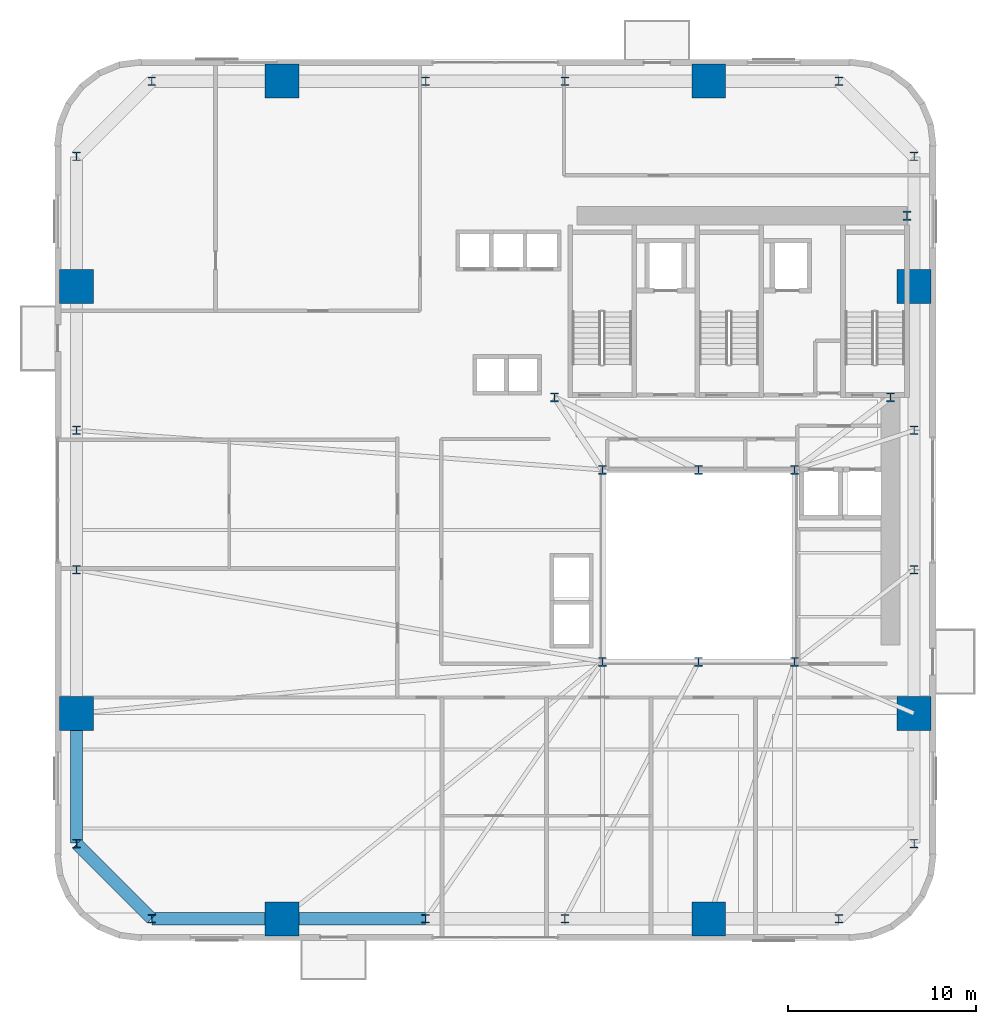
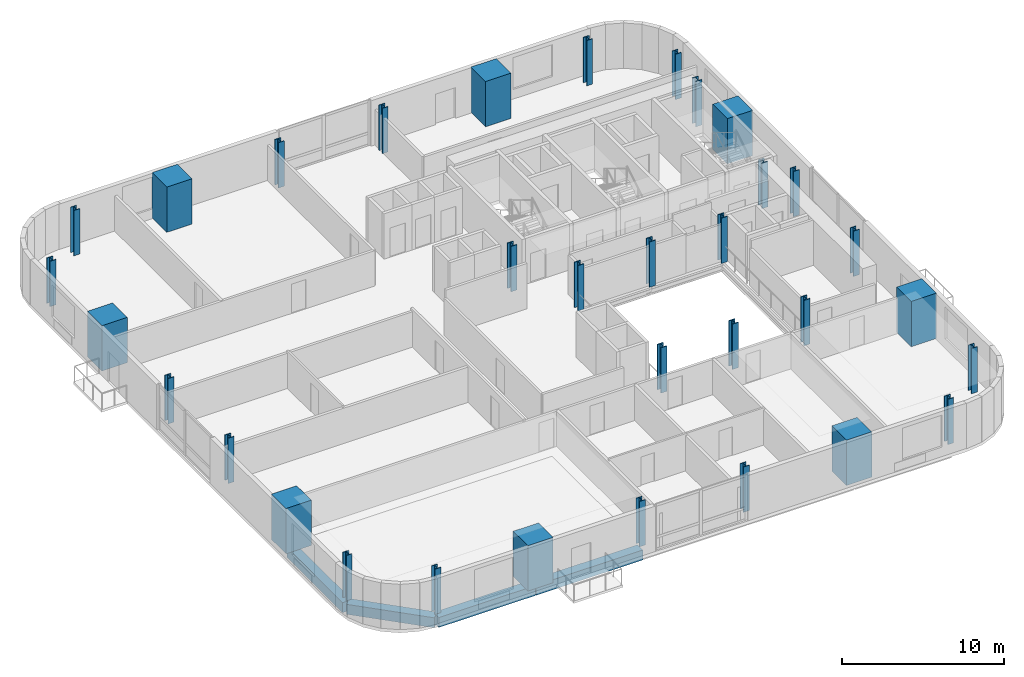
# One storey, part 1 of 13: 33 columns, 4 beams.
"""IFC4 building model written with IfcOpenShell, lengths in metres."""

import ifcopenshell
import ifcopenshell.guid

model = None  # the IFC model being written
_history = None  # IfcOwnerHistory: only IFC2X3 demands one
_inside = {}  # id of a spatial element -> (the spatial element, [elements in it])
_under = {}  # id of a project, library or spatial element -> (it, [spatial elements below it])
_declared = {}  # id of a project -> (the project, [libraries it declares])
_typed = {}  # id of a type object -> (the type object, [elements of that type])
_made_of = {}  # id of a material, layer set ... -> (it, [elements and type objects made of it])


def new_model(schema):
    """Start an empty IFC model of exactly this schema.

    Asked for "IFC4X3", IfcOpenShell would pick the latest addendum, in which some entities
    have other attributes; the version numbers below select the first issue.
    IFC2X3 requires an IfcOwnerHistory on every rooted entity: one is made here for all.
    """
    global model, _history
    if schema == "IFC4X3":
        model = ifcopenshell.file(schema_version=(4, 3, 0, 0))
    else:
        model = ifcopenshell.file(schema=schema)
    _inside.clear()
    _under.clear()
    _declared.clear()
    _typed.clear()
    _made_of.clear()
    _history = None
    if model.schema == "IFC2X3":
        org = make("IfcOrganization", Name="unknown")
        user = make(
            "IfcPersonAndOrganization",
            ThePerson=make("IfcPerson", FamilyName="unknown"),
            TheOrganization=org,
        )
        app = make(
            "IfcApplication",
            ApplicationDeveloper=org,
            Version="unknown",
            ApplicationFullName="unknown",
            ApplicationIdentifier="unknown",
        )
        _history = make(
            "IfcOwnerHistory",
            OwningUser=user,
            OwningApplication=app,
            ChangeAction="ADDED",
            CreationDate=0,
        )
    return model


def make(cls, **values):
    """One entity of the class cls with the attributes given. An attribute that is None is left unset."""
    return model.create_entity(
        cls, **{name: value for name, value in values.items() if value is not None}
    )


def rooted(cls, **values):
    """An entity with a GlobalId (a new one), such as an element, a storey or a relation."""
    return make(cls, GlobalId=ifcopenshell.guid.new(), OwnerHistory=_history, **values)


def si_unit(unit_type, name, prefix=None):
    """IfcSIUnit, for example si_unit("LENGTHUNIT", "METRE", prefix="MILLI")."""
    return make("IfcSIUnit", UnitType=unit_type, Prefix=prefix, Name=name)


def assignment(units):
    """IfcUnitAssignment: the units of a project."""
    return None if units is None else make("IfcUnitAssignment", Units=units)


def point(xyz):
    """IfcCartesianPoint."""
    return None if xyz is None else make("IfcCartesianPoint", Coordinates=xyz)


def direction(xyz):
    """IfcDirection."""
    return None if xyz is None else make("IfcDirection", DirectionRatios=xyz)


def frame(location, z_axis=None, x_axis=None):
    """IfcAxis2Placement3D, a coordinate frame: its origin and axes. An axis left out is left unset."""
    return make(
        "IfcAxis2Placement3D",
        Location=point(location),
        Axis=direction(z_axis),
        RefDirection=direction(x_axis),
    )


def frame_2d(location, x_axis=None):
    """IfcAxis2Placement2D, a coordinate frame in the plane: its origin and x axis."""
    return make(
        "IfcAxis2Placement2D", Location=point(location), RefDirection=direction(x_axis)
    )


def origin():
    """The frame at (0, 0, 0) with its axes left unset."""
    return frame((0.0, 0.0, 0.0))


def origin_2d():
    """The frame at (0, 0) in the plane with its x axis left unset."""
    return frame_2d((0.0, 0.0))


def place(relative_to, where):
    """IfcLocalPlacement: puts the frame where relative to a parent placement (None: the world)."""
    return make(
        "IfcLocalPlacement", PlacementRelTo=relative_to, RelativePlacement=where
    )


def context(
    kind, dimensions, precision=None, world=None, true_north=None, identifier=None
):
    """IfcGeometricRepresentationContext, for example the 3D "Model" context."""
    return make(
        "IfcGeometricRepresentationContext",
        ContextIdentifier=identifier,
        ContextType=kind,
        CoordinateSpaceDimension=dimensions,
        Precision=precision,
        WorldCoordinateSystem=world,
        TrueNorth=true_north,
    )


def subcontext(parent, identifier, kind, view, scale=None):
    """IfcGeometricRepresentationSubContext, for example "Body" below "Model"."""
    return make(
        "IfcGeometricRepresentationSubContext",
        ContextIdentifier=identifier,
        ContextType=kind,
        ParentContext=parent,
        TargetScale=scale,
        TargetView=view,
    )


def project(units=None, contexts=None):
    """IfcProject with its units and contexts."""
    return rooted(
        "IfcProject",
        Name="project",
        RepresentationContexts=contexts,
        UnitsInContext=assignment(units),
    )


def spatial(cls, under=None, at=None, **own):
    """A site, building, storey or space (cls), placed at a placement, below another one or the project."""
    s = rooted(cls, ObjectPlacement=at, **own)
    if under is not None:
        _under.setdefault(under.id(), (under, []))[1].append(s)
    return s


def profile(cls, at=None, kind="AREA", **sizes):
    """A parametric profile (cls). Its sizes go by their IFC names, for example OverallWidth=200.0."""
    return make(cls, ProfileType=kind, Position=at, **sizes)


def rectangle(**sizes):
    """IfcRectangleProfileDef."""
    return profile("IfcRectangleProfileDef", **sizes)


def i_section(**sizes):
    """IfcIShapeProfileDef."""
    return profile("IfcIShapeProfileDef", **sizes)


def extrude(swept, where, along, depth):
    """IfcExtrudedAreaSolid: the profile swept, set in the frame where, extruded along a direction by depth."""
    return make(
        "IfcExtrudedAreaSolid",
        SweptArea=swept,
        Position=where,
        ExtrudedDirection=direction(along),
        Depth=depth,
    )


def shape(context_of_items, identifier, shape_type, items):
    """IfcShapeRepresentation: the items that make up one representation, for example the "Body"."""
    return make(
        "IfcShapeRepresentation",
        ContextOfItems=context_of_items,
        RepresentationIdentifier=identifier,
        RepresentationType=shape_type,
        Items=items,
    )


def source(mapping_origin, context_of_items, identifier, shape_type, items):
    """IfcRepresentationMap: a shape defined once, which mapped items show again and again."""
    return make(
        "IfcRepresentationMap",
        MappingOrigin=mapping_origin,
        MappedRepresentation=shape(context_of_items, identifier, shape_type, items),
    )


def transform(
    local_origin,
    x_axis=None,
    y_axis=None,
    z_axis=None,
    scale=None,
    scale2=None,
    scale3=None,
    uniform=True,
):
    """IfcCartesianTransformationOperator3D, or its non-uniform kind. x_axis, y_axis, z_axis: its Axis1, 2, 3."""
    if uniform:
        return make(
            "IfcCartesianTransformationOperator3D",
            Axis1=direction(x_axis),
            Axis2=direction(y_axis),
            LocalOrigin=point(local_origin),
            Scale=scale,
            Axis3=direction(z_axis),
        )
    return make(
        "IfcCartesianTransformationOperator3DnonUniform",
        Axis1=direction(x_axis),
        Axis2=direction(y_axis),
        LocalOrigin=point(local_origin),
        Scale=scale,
        Axis3=direction(z_axis),
        Scale2=scale2,
        Scale3=scale3,
    )


def mapped(mapping_source, mapping_target):
    """IfcMappedItem: shows the shape of a source again, moved by a transform."""
    return make(
        "IfcMappedItem", MappingSource=mapping_source, MappingTarget=mapping_target
    )


def material(Name=None, Category=None):
    """IfcMaterial."""
    return make("IfcMaterial", Name=Name, Category=Category)


def material_profile(
    of_material, cross_section, Name=None, Category=None, Priority=None
):
    """IfcMaterialProfile: a cross section and its material."""
    return make(
        "IfcMaterialProfile",
        Name=Name,
        Material=of_material,
        Profile=cross_section,
        Priority=Priority,
        Category=Category,
    )


def profile_set(profiles, Name=None, composite=None):
    """IfcMaterialProfileSet."""
    return make(
        "IfcMaterialProfileSet",
        Name=Name,
        MaterialProfiles=profiles,
        CompositeProfile=composite,
    )


def made_of(thing, what):
    """Note that an element or type object is made of a material, layer set ...; save() writes the relation."""
    if what is not None:
        _made_of.setdefault(what.id(), (what, []))[1].append(thing)
    return thing


def type_object(cls, material=None, **own):
    """A type object (cls), such as IfcWallType, which elements share."""
    return made_of(rooted(cls, **own), material)


def element(
    cls,
    number,
    at=None,
    inside=None,
    cuts=None,
    type_object=None,
    material=None,
    context=None,
    identifier="Body",
    shape_type=None,
    held_by="IfcProductDefinitionShape",
    body=None,
    shapes=None,
    **own,
):
    """One element of the class cls, such as IfcWall. Its Tag is "e" and its number.

    at: its placement. inside: the storey or other place that contains it. cuts: it is an
    opening in that element (IfcRelVoidsElement). A single representation is given by context,
    identifier, shape_type and body (its items); several are given by shapes. held_by: the class
    of the entity that holds the representations. save() writes the other relations.
    """
    e = rooted(cls, Tag="e%d" % number, ObjectPlacement=at, **own)
    if body is not None:
        shapes = [shape(context, identifier, shape_type, body)]
    if shapes is not None:
        e.Representation = make(held_by, Representations=shapes)
    if inside is not None:
        _inside.setdefault(inside.id(), (inside, []))[1].append(e)
    if cuts is not None:
        rooted(
            "IfcRelVoidsElement", RelatingBuildingElement=cuts, RelatedOpeningElement=e
        )
    if type_object is not None:
        _typed.setdefault(type_object.id(), (type_object, []))[1].append(e)
    return made_of(e, material)


def aggregate(whole, parts):
    """IfcRelAggregates: a whole, such as a stair, and the parts it consists of."""
    return rooted("IfcRelAggregates", RelatingObject=whole, RelatedObjects=parts)


def save(model, path):
    """Write the relations noted so far, then the file.

    IfcRelAggregates (storeys below a building ...), IfcRelContainedInSpatialStructure (elements
    in a storey), IfcRelDefinesByType, IfcRelAssociatesMaterial and IfcRelDeclares: one each for
    every whole, place, type object, material and project.
    """
    for whole, parts in _under.values():
        aggregate(whole, parts)
    for where, things in _inside.values():
        rooted(
            "IfcRelContainedInSpatialStructure",
            RelatedElements=things,
            RelatingStructure=where,
        )
    for kind, things in _typed.values():
        rooted("IfcRelDefinesByType", RelatedObjects=things, RelatingType=kind)
    for what, things in _made_of.values():
        rooted("IfcRelAssociatesMaterial", RelatedObjects=things, RelatingMaterial=what)
    for by, libraries in _declared.values():
        rooted("IfcRelDeclares", RelatingContext=by, RelatedDefinitions=libraries)
    model.write(path)


model = new_model("IFC4")

# Units and contexts
model_context = context("Model", 3, precision=1e-05, world=origin(), true_north=direction((0.0, 1.0)))
body_context = subcontext(model_context, "Body", "Model", "MODEL_VIEW")
ifc_project = project(units=[si_unit("LENGTHUNIT", "METRE"), si_unit("AREAUNIT", "SQUARE_METRE"), si_unit("VOLUMEUNIT", "CUBIC_METRE"), si_unit("PLANEANGLEUNIT", "RADIAN"), si_unit("MASSUNIT", "GRAM", prefix="KILO")], contexts=[model_context])

# Site, building, storey
site_placement = place(None, origin())
site = spatial("IfcSite", under=ifc_project, at=site_placement, CompositionType="ELEMENT")
building_placement = place(site_placement, origin())
building = spatial("IfcBuilding", under=site, at=building_placement, Name="Vardaveli Station Tower", CompositionType="ELEMENT")
storey_placement = place(building_placement, frame((0.0, 0.0, 71.39990234375)))
storey = spatial("IfcBuildingStorey", under=building, at=storey_placement, Name="L18", CompositionType="ELEMENT", Elevation=71.39990234375)

# Columns
ifc_material_1 = material(Name="Structural steel S460M", Category="steel")
ifc_material_profile_1 = material_profile(ifc_material_1, i_section(OverallWidth=0.427978515625, OverallDepth=0.48095703125, WebThickness=0.03955078125, FlangeThickness=0.0634765625, FilletRadius=0.014892578125, at=origin_2d()), Name="HD 400x677")
ifc_profile_set_1 = profile_set([ifc_material_profile_1], Name="Structural steel S460M")
column_type_1 = type_object("IfcColumnType", Name="COL-HD677", PredefinedType="COLUMN", material=ifc_profile_set_1)
shared_shape_1 = source(origin(), body_context, "Body", "SweptSolid", [
    extrude(i_section(OverallWidth=0.427978515625, OverallDepth=0.48095703125, WebThickness=0.03955078125, FlangeThickness=0.0634765625, FilletRadius=0.014892578125, at=origin_2d()), origin(), (0.0, 0.0, 1.0), 3.41015625),
])
for number, where, z_axis, x_axis, name in (
    (1, (31.199951171875, 16.60009765625, 0.0), (0.0, 0.0, 1.0), (1.0, 0.0, 0.0), "COL-L18-AC1"),
    (2, (36.300048828125, 16.60009765625, 0.0), (0.0, 0.0, 1.0), (1.0, 0.0, 0.0), "COL-L18-AC2"),
    (3, (41.39990234375, 16.60009765625, 0.0), (0.0, 0.0, 1.0), (1.0, 0.0, 0.0), "COL-L18-AC3"),
    (4, (41.39990234375, 26.800048828125, 0.0), (0.0, 0.0, 1.0), (1.0, 0.0, 0.0), "COL-L18-AC4"),
    (5, (36.300048828125, 26.800048828125, 0.0), (0.0, 0.0, 1.0), (1.0, 0.0, 0.0), "COL-L18-AC5"),
    (6, (31.199951171875, 26.800048828125, 0.0), (0.0, 0.0, 1.0), (1.0, 0.0, 0.0), "COL-L18-AC6"),
    (7, (28.64990234375, 30.64990234375, 0.0), (0.0, 0.0, 1.0), (1.0, 0.0, 0.0), "COL-L18-CC1"),
    (8, (46.5, 30.64990234375, 0.0), (0.0, 0.0, 1.0), (1.0, 0.0, 0.0), "COL-L18-CC2"),
    (9, (47.3701171875, 40.300048828125, 0.0), (0.0, 0.0, 1.0), (1.0, 0.0, 0.0), "COL-L18-CC3"),
):
    element("IfcColumn", number, at=place(storey_placement, frame(where, z_axis=z_axis, x_axis=x_axis)), inside=storey, type_object=column_type_1, Name=name, PredefinedType="COLUMN", context=body_context, shape_type="MappedRepresentation", body=[
        mapped(shared_shape_1, transform((0.0, 0.0, 0.0), scale=1.0)),
    ])
ifc_material_2 = material(Name="Concrete C70/85", Category="concrete")
ifc_material_profile_2 = material_profile(ifc_material_2, rectangle(XDim=1.800048828125, YDim=1.800048828125, at=origin_2d()), Name="MC 1800x1800")
ifc_profile_set_2 = profile_set([ifc_material_profile_2], Name="Concrete C70/85")
column_type_2 = type_object("IfcColumnType", Name="COL-MC-1800", PredefinedType="COLUMN", material=ifc_profile_set_2)
shared_shape_2 = source(origin(), body_context, "Body", "SweptSolid", [
    extrude(rectangle(XDim=1.800048828125, YDim=1.800048828125, at=origin_2d()), origin(), (0.0, 0.0, 1.0), 3.41015625),
])
for number, where, z_axis, x_axis, name in (
    (10, (14.159912109375, 2.949951171875, 0.0), (0.0, 0.0, 1.0), (1.0, 0.0, 0.0), "COL-L18-MC1"),
    (11, (36.840087890625, 2.949951171875, 0.0), (0.0, 0.0, 1.0), (1.0, 0.0, 0.0), "COL-L18-MC2"),
    (12, (47.75, 13.860107421875, 0.0), (0.0, 0.0, 1.0), (1.0, 0.0, 0.0), "COL-L18-MC3"),
    (13, (47.75, 36.5400390625, 0.0), (0.0, 0.0, 1.0), (1.0, 0.0, 0.0), "COL-L18-MC4"),
    (14, (36.840087890625, 47.449951171875, 0.0), (0.0, 0.0, 1.0), (1.0, 0.0, 0.0), "COL-L18-MC5"),
    (15, (14.159912109375, 47.449951171875, 0.0), (0.0, 0.0, 1.0), (1.0, 0.0, 0.0), "COL-L18-MC6"),
    (16, (3.25, 36.5400390625, 0.0), (0.0, 0.0, 1.0), (1.0, 0.0, 0.0), "COL-L18-MC7"),
    (17, (3.25, 13.860107421875, 0.0), (0.0, 0.0, 1.0), (1.0, 0.0, 0.0), "COL-L18-MC8"),
):
    element("IfcColumn", number, at=place(storey_placement, frame(where, z_axis=z_axis, x_axis=x_axis)), inside=storey, type_object=column_type_2, Name=name, PredefinedType="COLUMN", context=body_context, shape_type="MappedRepresentation", body=[
        mapped(shared_shape_2, transform((0.0, 0.0, 0.0), scale=1.0)),
    ])
ifc_material_profile_3 = material_profile(ifc_material_1, i_section(OverallWidth=0.4189453125, OverallDepth=0.448974609375, WebThickness=0.030517578125, FlangeThickness=0.04833984375, FilletRadius=0.014892578125, at=origin_2d()), Name="HD 400x509")
ifc_profile_set_3 = profile_set([ifc_material_profile_3], Name="Structural steel S460M")
column_type_3 = type_object("IfcColumnType", Name="COL-HD509", PredefinedType="COLUMN", material=ifc_profile_set_3)
shared_shape_3 = source(origin(), body_context, "Body", "SweptSolid", [
    extrude(i_section(OverallWidth=0.4189453125, OverallDepth=0.448974609375, WebThickness=0.030517578125, FlangeThickness=0.04833984375, FilletRadius=0.014892578125, at=origin_2d()), origin(), (0.0, 0.0, 1.0), 3.41015625),
])
for number, where, z_axis, x_axis, name in (
    (18, (7.25, 2.949951171875, 0.0), (0.0, 0.0, 1.0), (1.0, 0.0, 0.0), "COL-L18-PC01"),
    (19, (21.800048828125, 2.949951171875, 0.0), (0.0, 0.0, 1.0), (1.0, 0.0, 0.0), "COL-L18-PC02"),
    (20, (29.199951171875, 2.949951171875, 0.0), (0.0, 0.0, 1.0), (1.0, 0.0, 0.0), "COL-L18-PC03"),
    (21, (43.75, 2.949951171875, 0.0), (0.0, 0.0, 1.0), (1.0, 0.0, 0.0), "COL-L18-PC04"),
    (22, (47.75, 6.949951171875, 0.0), (0.0, 0.0, 1.0), (1.0, 0.0, 0.0), "COL-L18-PC05"),
    (23, (47.75, 21.5, 0.0), (0.0, 0.0, 1.0), (1.0, 0.0, 0.0), "COL-L18-PC06"),
    (24, (47.75, 28.89990234375, 0.0), (0.0, 0.0, 1.0), (1.0, 0.0, 0.0), "COL-L18-PC07"),
    (25, (47.75, 43.449951171875, 0.0), (0.0, 0.0, 1.0), (1.0, 0.0, 0.0), "COL-L18-PC08"),
    (26, (43.75, 47.449951171875, 0.0), (0.0, 0.0, 1.0), (1.0, 0.0, 0.0), "COL-L18-PC09"),
    (27, (29.199951171875, 47.449951171875, 0.0), (0.0, 0.0, 1.0), (1.0, 0.0, 0.0), "COL-L18-PC10"),
    (28, (21.800048828125, 47.449951171875, 0.0), (0.0, 0.0, 1.0), (1.0, 0.0, 0.0), "COL-L18-PC11"),
    (29, (7.25, 47.449951171875, 0.0), (0.0, 0.0, 1.0), (1.0, 0.0, 0.0), "COL-L18-PC12"),
    (30, (3.25, 43.449951171875, 0.0), (0.0, 0.0, 1.0), (1.0, 0.0, 0.0), "COL-L18-PC13"),
    (31, (3.25, 28.89990234375, 0.0), (0.0, 0.0, 1.0), (1.0, 0.0, 0.0), "COL-L18-PC14"),
    (32, (3.25, 21.5, 0.0), (0.0, 0.0, 1.0), (1.0, 0.0, 0.0), "COL-L18-PC15"),
    (33, (3.25, 6.949951171875, 0.0), (0.0, 0.0, 1.0), (1.0, 0.0, 0.0), "COL-L18-PC16"),
):
    element("IfcColumn", number, at=place(storey_placement, frame(where, z_axis=z_axis, x_axis=x_axis)), inside=storey, type_object=column_type_3, Name=name, PredefinedType="COLUMN", context=body_context, shape_type="MappedRepresentation", body=[
        mapped(shared_shape_3, transform((0.0, 0.0, 0.0), scale=1.0)),
    ])

# Beams
ifc_material_3 = material(Name="Precast concrete C45/55", Category="concrete")
ifc_material_profile_4 = material_profile(ifc_material_3, rectangle(XDim=0.64990234375, YDim=0.75, at=origin_2d()), Name="LPB 650x750")
ifc_profile_set_4 = profile_set([ifc_material_profile_4], Name="Precast concrete C45/55")
beam_type = type_object("IfcBeamType", Name="BM-LPB-750", PredefinedType="BEAM", material=ifc_profile_set_4)
shared_shape_4 = source(origin(), body_context, "Body", "SweptSolid", [
    extrude(rectangle(XDim=0.64990234375, YDim=0.75, at=origin_2d()), origin(), (0.0, 0.0, 1.0), 7.60009765625),
])
beam_1_placement = place(storey_placement, frame((14.179931640625, 2.949951171875, -0.614990234375), z_axis=(1.0, 0.0, 0.0), x_axis=(0.0, 1.0, 0.0)))
element("IfcBeam", 34, at=beam_1_placement, inside=storey, type_object=beam_type, Name="RBM-L18-01", PredefinedType="BEAM", context=body_context, shape_type="MappedRepresentation", body=[
    mapped(shared_shape_4, transform((0.0, 0.0, 0.0), scale=1.0)),
])
shared_shape_5 = source(origin(), body_context, "Body", "SweptSolid", [
    extrude(rectangle(XDim=0.64990234375, YDim=0.75, at=origin_2d()), origin(), (0.0, 0.0, 1.0), 6.869873046875),
])
beam_2_placement = place(storey_placement, frame((7.27001953125, 2.949951171875, -0.614990234375), z_axis=(1.0, 0.0, 0.0), x_axis=(0.0, 1.0, 0.0)))
element("IfcBeam", 35, at=beam_2_placement, inside=storey, type_object=beam_type, Name="RBM-L18-24", PredefinedType="BEAM", context=body_context, shape_type="MappedRepresentation", body=[
    mapped(shared_shape_5, transform((0.0, 0.0, 0.0), scale=1.0)),
])
shared_shape_6 = source(origin(), body_context, "Body", "SweptSolid", [
    extrude(rectangle(XDim=0.64990234375, YDim=0.75, at=origin_2d()), origin(), (0.0, 0.0, 1.0), 5.61669921875),
])
beam_3_placement = place(storey_placement, frame((3.26416015625, 6.935791015625, -0.614990234375), z_axis=(0.707106781187, -0.707106781187, 0.0), x_axis=(0.707106781187, 0.707106781187, 0.0)))
element("IfcBeam", 36, at=beam_3_placement, inside=storey, type_object=beam_type, Name="RBM-L18-23", PredefinedType="BEAM", context=body_context, shape_type="MappedRepresentation", body=[
    mapped(shared_shape_6, transform((0.0, 0.0, 0.0), scale=1.0)),
])
shared_shape_7 = source(origin(), body_context, "Body", "SweptSolid", [
    extrude(rectangle(XDim=0.64990234375, YDim=0.75, at=origin_2d()), origin(), (0.0, 0.0, 1.0), 6.8701171875),
])
beam_4_placement = place(storey_placement, frame((3.25, 13.840087890625, -0.614990234375), z_axis=(0.0, -1.0, 0.0), x_axis=(1.0, 0.0, 0.0)))
element("IfcBeam", 37, at=beam_4_placement, inside=storey, type_object=beam_type, Name="RBM-L18-22", PredefinedType="BEAM", context=body_context, shape_type="MappedRepresentation", body=[
    mapped(shared_shape_7, transform((0.0, 0.0, 0.0), scale=1.0)),
])

save(model, "model.ifc")
